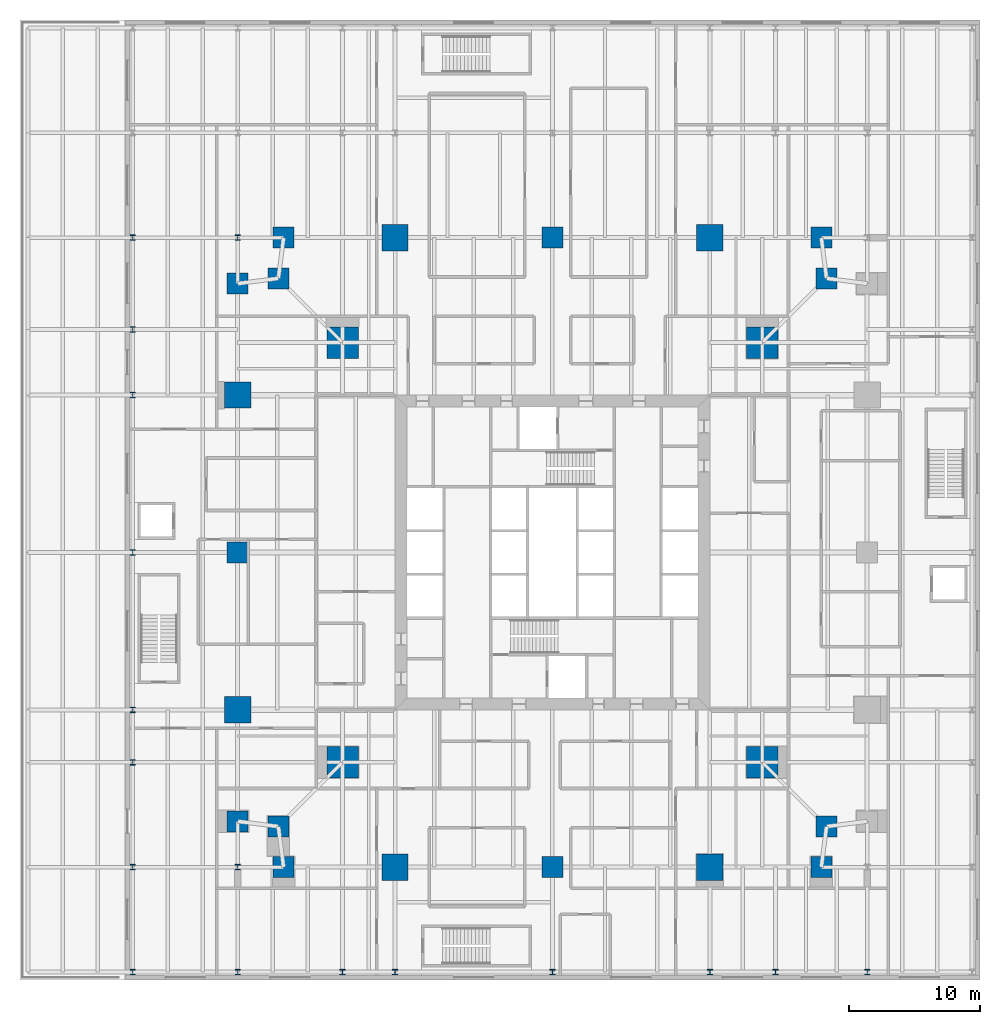
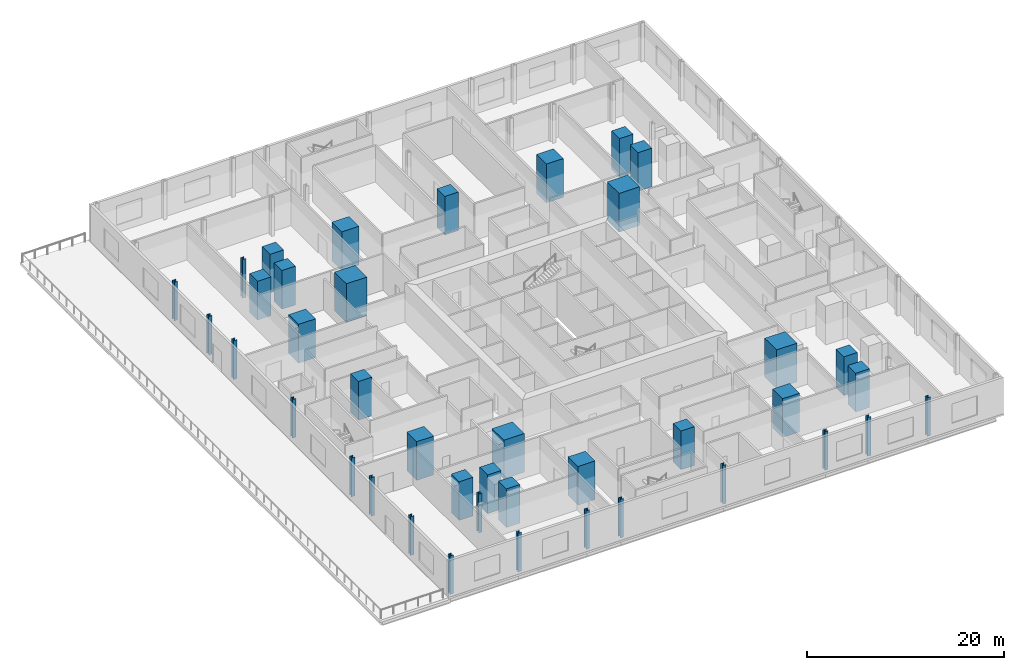
# One storey, part 1 of 17: 40 columns.
"""IFC4 building model written with IfcOpenShell, lengths in metres."""

from ifc_helpers import new_model, si_unit, direction, frame, origin, origin_2d, place, context, subcontext, project, spatial, rectangle, i_section, extrude, material, material_profile, profile_set, type_object, element, save


model = new_model("IFC4")

# Units and contexts
model_context = context("Model", 3, precision=1e-05, world=origin(), true_north=direction((0.0, 1.0)))
body_context = subcontext(model_context, "Body", "Model", "MODEL_VIEW")
ifc_project = project(units=[si_unit("LENGTHUNIT", "METRE"), si_unit("AREAUNIT", "SQUARE_METRE"), si_unit("VOLUMEUNIT", "CUBIC_METRE"), si_unit("PLANEANGLEUNIT", "RADIAN"), si_unit("MASSUNIT", "GRAM", prefix="KILO")], contexts=[model_context])

# Site, building, storey
site_placement = place(None, origin())
site = spatial("IfcSite", under=ifc_project, at=site_placement, CompositionType="ELEMENT")
building_placement = place(site_placement, origin())
building = spatial("IfcBuilding", under=site, at=building_placement, Name="Fenwick Lantern Interchange", CompositionType="ELEMENT")
storey_placement = place(building_placement, frame((0.0, 0.0, 21.39990234375)))
storey = spatial("IfcBuildingStorey", under=building, at=storey_placement, Name="L04", CompositionType="ELEMENT", Elevation=21.39990234375)

# Columns
ifc_material_1 = material(Name="Concrete f'c 70 MPa", Category="concrete")
ifc_material_profile_1 = material_profile(ifc_material_1, rectangle(XDim=2.39990234375, YDim=2.39990234375, at=origin_2d()), Name="RC2400X2400")
ifc_profile_set_1 = profile_set([ifc_material_profile_1], Name="Concrete f'c 70 MPa")
column_type_1 = type_object("IfcColumnType", Name="MEGA COLUMN RC2400X2400", PredefinedType="COLUMN", material=ifc_profile_set_1)
for number, where, z_axis, x_axis, name in (
    (1, (9.0, 9.0, 0.0), (0.0, 0.0, 1.0), (1.0, 0.0, 0.0), "L04/M1"),
    (2, (41.0, 9.0, 0.0), (0.0, 0.0, 1.0), (1.0, 0.0, 0.0), "L04/M2"),
    (3, (41.0, 41.0, 0.0), (0.0, 0.0, 1.0), (1.0, 0.0, 0.0), "L04/M3"),
    (4, (9.0, 41.0, 0.0), (0.0, 0.0, 1.0), (1.0, 0.0, 0.0), "L04/M4"),
):
    element("IfcColumn", number, at=place(storey_placement, frame(where, z_axis=z_axis, x_axis=x_axis)), inside=storey, type_object=column_type_1, Name=name, PredefinedType="COLUMN", context=body_context, shape_type="SweptSolid", body=[
        extrude(rectangle(XDim=2.39990234375, YDim=2.39990234375, at=origin_2d()), origin(), (0.0, 0.0, 1.0), 4.800048828125),
    ])
ifc_material_profile_2 = material_profile(ifc_material_1, rectangle(XDim=1.60009765625, YDim=1.60009765625, at=origin_2d()), Name="RC1600X1600")
ifc_profile_set_2 = profile_set([ifc_material_profile_2], Name="Concrete f'c 70 MPa")
column_type_2 = type_object("IfcColumnType", Name="PERIMETER COLUMN RC1600X1600", PredefinedType="COLUMN", material=ifc_profile_set_2)
for number, where, z_axis, x_axis, name in (
    (5, (4.5, 1.0, 0.0), (0.0, 0.0, 1.0), (1.0, 0.0, 0.0), "L04/CS1"),
    (6, (25.0, 1.0, 0.0), (0.0, 0.0, 1.0), (1.0, 0.0, 0.0), "L04/CS3"),
    (7, (45.5, 1.0, 0.0), (0.0, 0.0, 1.0), (1.0, 0.0, 0.0), "L04/CS5"),
    (8, (45.89990234375, 4.10009765625, 0.0), (0.0, 0.0, 1.0), (1.0, 0.0, 0.0), "L04/CSR"),
    (9, (45.89990234375, 45.89990234375, 0.0), (0.0, 0.0, 1.0), (1.0, 0.0, 0.0), "L04/CER"),
    (10, (45.5, 49.0, 0.0), (0.0, 0.0, 1.0), (1.0, 0.0, 0.0), "L04/CN1"),
    (11, (25.0, 49.0, 0.0), (0.0, 0.0, 1.0), (1.0, 0.0, 0.0), "L04/CN3"),
    (12, (4.5, 49.0, 0.0), (0.0, 0.0, 1.0), (1.0, 0.0, 0.0), "L04/CN5"),
    (13, (4.10009765625, 45.89990234375, 0.0), (0.0, 0.0, 1.0), (1.0, 0.0, 0.0), "L04/CNR"),
    (14, (1.0, 45.5, 0.0), (0.0, 0.0, 1.0), (1.0, 0.0, 0.0), "L04/CW1"),
    (15, (1.0, 25.0, 0.0), (0.0, 0.0, 1.0), (1.0, 0.0, 0.0), "L04/CW3"),
    (16, (1.0, 4.5, 0.0), (0.0, 0.0, 1.0), (1.0, 0.0, 0.0), "L04/CW5"),
    (17, (4.10009765625, 4.10009765625, 0.0), (0.0, 0.0, 1.0), (1.0, 0.0, 0.0), "L04/CWR"),
):
    element("IfcColumn", number, at=place(storey_placement, frame(where, z_axis=z_axis, x_axis=x_axis)), inside=storey, type_object=column_type_2, Name=name, PredefinedType="COLUMN", context=body_context, shape_type="SweptSolid", body=[
        extrude(rectangle(XDim=1.60009765625, YDim=1.60009765625, at=origin_2d()), origin(), (0.0, 0.0, 1.0), 4.800048828125),
    ])
ifc_material_profile_3 = material_profile(ifc_material_1, rectangle(XDim=2.0, YDim=2.0, at=origin_2d()), Name="RC2000X2000")
ifc_profile_set_3 = profile_set([ifc_material_profile_3], Name="Concrete f'c 70 MPa")
column_type_3 = type_object("IfcColumnType", Name="PERIMETER COLUMN RC2000X2000", PredefinedType="COLUMN", material=ifc_profile_set_3)
for number, where, z_axis, x_axis, name in (
    (18, (13.0, 1.0, 0.0), (0.0, 0.0, 1.0), (1.0, 0.0, 0.0), "L04/CS2"),
    (19, (37.0, 1.0, 0.0), (0.0, 0.0, 1.0), (1.0, 0.0, 0.0), "L04/CS4"),
    (20, (37.0, 49.0, 0.0), (0.0, 0.0, 1.0), (1.0, 0.0, 0.0), "L04/CN2"),
    (21, (13.0, 49.0, 0.0), (0.0, 0.0, 1.0), (1.0, 0.0, 0.0), "L04/CN4"),
    (22, (1.0, 37.0, 0.0), (0.0, 0.0, 1.0), (1.0, 0.0, 0.0), "L04/CW2"),
    (23, (1.0, 13.0, 0.0), (0.0, 0.0, 1.0), (1.0, 0.0, 0.0), "L04/CW4"),
):
    element("IfcColumn", number, at=place(storey_placement, frame(where, z_axis=z_axis, x_axis=x_axis)), inside=storey, type_object=column_type_3, Name=name, PredefinedType="COLUMN", context=body_context, shape_type="SweptSolid", body=[
        extrude(rectangle(XDim=2.0, YDim=2.0, at=origin_2d()), origin(), (0.0, 0.0, 1.0), 4.800048828125),
    ])
ifc_material_2 = material(Name="Steel ASTM A992 Grade 50", Category="steel")
ifc_material_profile_4 = material_profile(ifc_material_2, i_section(OverallWidth=0.406494140625, OverallDepth=0.41650390625, WebThickness=0.030029296875, FlangeThickness=0.048095703125, at=origin_2d()), Name="W14X257")
ifc_profile_set_4 = profile_set([ifc_material_profile_4], Name="Steel ASTM A992 Grade 50")
column_type_4 = type_object("IfcColumnType", Name="PODIUM COLUMN W14X257", PredefinedType="COLUMN", material=ifc_profile_set_4)
for number, where, z_axis, x_axis, name in (
    (24, (-7.0, -7.0, 0.0), (0.0, 0.0, 1.0), (1.0, 0.0, 0.0), "L04/PB2"),
    (25, (-7.0, 1.0, 0.0), (0.0, 0.0, 1.0), (1.0, 0.0, 0.0), "L04/PC2"),
    (26, (-7.0, 9.0, 0.0), (0.0, 0.0, 1.0), (1.0, 0.0, 0.0), "L04/PD2"),
    (27, (-7.0, 13.0, 0.0), (0.0, 0.0, 1.0), (1.0, 0.0, 0.0), "L04/PE2"),
    (28, (-7.0, 25.0, 0.0), (0.0, 0.0, 1.0), (1.0, 0.0, 0.0), "L04/PF2"),
    (29, (-7.0, 37.0, 0.0), (0.0, 0.0, 1.0), (1.0, 0.0, 0.0), "L04/PG2"),
    (30, (-7.0, 42.0, 0.0), (0.0, 0.0, 1.0), (1.0, 0.0, 0.0), "L04/PH2"),
    (31, (-7.0, 49.0, 0.0), (0.0, 0.0, 1.0), (1.0, 0.0, 0.0), "L04/PJ2"),
    (32, (1.0, -7.0, 0.0), (0.0, 0.0, 1.0), (1.0, 0.0, 0.0), "L04/PB3"),
    (33, (1.0, 1.0, 0.0), (0.0, 0.0, 1.0), (1.0, 0.0, 0.0), "L04/PC3"),
    (34, (1.0, 49.0, 0.0), (0.0, 0.0, 1.0), (1.0, 0.0, 0.0), "L04/PJ3"),
    (35, (9.0, -7.0, 0.0), (0.0, 0.0, 1.0), (1.0, 0.0, 0.0), "L04/PB4"),
    (36, (13.0, -7.0, 0.0), (0.0, 0.0, 1.0), (1.0, 0.0, 0.0), "L04/PB5"),
    (37, (25.0, -7.0, 0.0), (0.0, 0.0, 1.0), (1.0, 0.0, 0.0), "L04/PB6"),
    (38, (37.0, -7.0, 0.0), (0.0, 0.0, 1.0), (1.0, 0.0, 0.0), "L04/PB7"),
    (39, (42.0, -7.0, 0.0), (0.0, 0.0, 1.0), (1.0, 0.0, 0.0), "L04/PB8"),
    (40, (49.0, -7.0, 0.0), (0.0, 0.0, 1.0), (1.0, 0.0, 0.0), "L04/PB9"),
):
    element("IfcColumn", number, at=place(storey_placement, frame(where, z_axis=z_axis, x_axis=x_axis)), inside=storey, type_object=column_type_4, Name=name, PredefinedType="COLUMN", context=body_context, shape_type="SweptSolid", body=[
        extrude(i_section(OverallWidth=0.406494140625, OverallDepth=0.41650390625, WebThickness=0.030029296875, FlangeThickness=0.048095703125, at=origin_2d()), origin(), (0.0, 0.0, 1.0), 4.800048828125),
    ])

save(model, "model.ifc")
